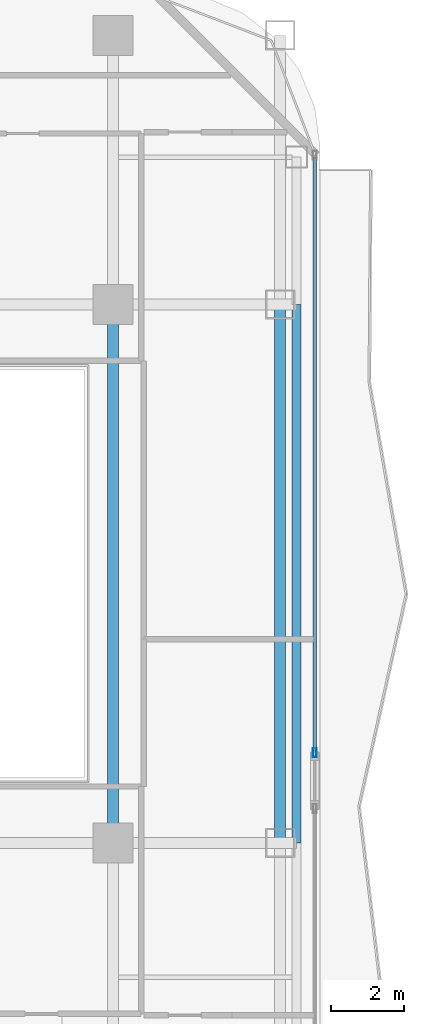
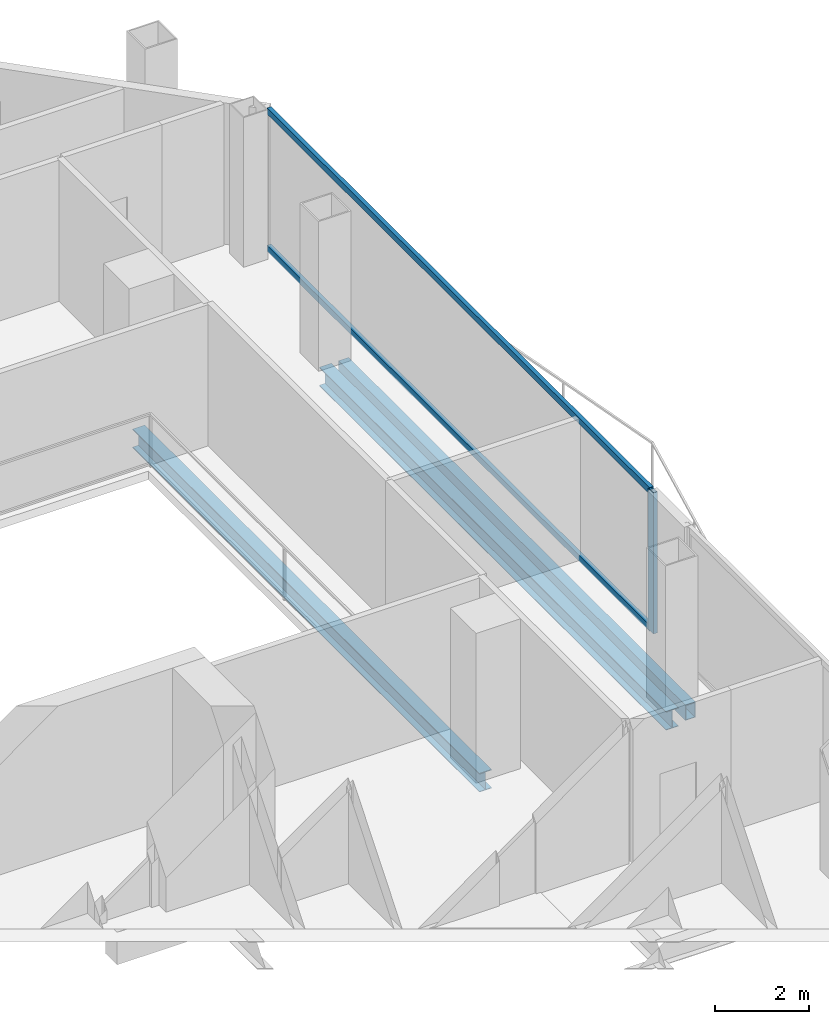
# One storey, part 9 of 23: 3 beams, 3 members, 1 element without a shape of its own.
"""IFC4 building model written with IfcOpenShell, lengths in metres."""

from ifc_helpers import new_model, si_unit, direction, frame, origin, origin_2d, place, context, subcontext, project, spatial, hollow_rectangle, i_section, extrude, material, layer, layer_set, material_profile, profile_set, type_object, element, aggregate, save


model = new_model("IFC4")

# Units and contexts
model_context = context("Model", 3, precision=1e-05, world=origin(), true_north=direction((0.0, 1.0)))
body_context = subcontext(model_context, "Body", "Model", "MODEL_VIEW")
ifc_project = project(units=[si_unit("LENGTHUNIT", "METRE"), si_unit("AREAUNIT", "SQUARE_METRE"), si_unit("VOLUMEUNIT", "CUBIC_METRE"), si_unit("PLANEANGLEUNIT", "RADIAN"), si_unit("MASSUNIT", "GRAM", prefix="KILO")], contexts=[model_context])

# Site, building, storey
site_placement = place(None, origin())
site = spatial("IfcSite", under=ifc_project, at=site_placement, CompositionType="ELEMENT")
building_placement = place(site_placement, origin())
building = spatial("IfcBuilding", under=site, at=building_placement, Name="Khorvyn Point Tower", CompositionType="ELEMENT")
storey_placement = place(building_placement, frame((0.0, 0.0, 195.300048828125)))
storey = spatial("IfcBuildingStorey", under=building, at=storey_placement, Name="L48", CompositionType="ELEMENT", Elevation=195.300048828125)

# Curtain wall, members
ifc_material_1 = material(Name="Anodised aluminium 6063-T6 and laminated Low-E glass", Category="aluminium")
ifc_layer = layer(ifc_material_1, 0.18994140625)
ifc_layer_set = layer_set([ifc_layer], Name="Stick-Built Acoustic Curtain Wall CW-SYS-03")
curtain_wall_type = type_object("IfcCurtainWallType", Name="Stick-Built Acoustic Curtain Wall CW-SYS-03", PredefinedType="NOTDEFINED", material=ifc_layer_set)
curtain_wall_placement = place(storey_placement, origin())
curtain_wall = element("IfcCurtainWall", 1, at=curtain_wall_placement, inside=storey, type_object=curtain_wall_type, Name="Curtain Wall", PredefinedType="NOTDEFINED")
ifc_material_2 = material(Name="Anodised aluminium 6063-T6", Category="aluminium")
ifc_material_profile_1 = material_profile(ifc_material_2, hollow_rectangle(XDim=0.10009765625, YDim=0.239990234375, WallThickness=0.0048828125, at=origin_2d()))
ifc_profile_set_1 = profile_set([ifc_material_profile_1], Name="Anodised aluminium 6063-T6 ALU-MUL-100x240")
member_type_1 = type_object("IfcMemberType", Name="Anodised Aluminium 6063-T6 Mullion ALU-MUL-100x240", PredefinedType="MULLION", material=ifc_profile_set_1)
member_1_placement = place(storey_placement, frame((20.35009765625, -4.919921875, 0.0), z_axis=(0.0, 0.0, 1.0), x_axis=(1.0, 0.0, 0.0)))
member_1 = element("IfcMember", 2, at=member_1_placement, type_object=member_type_1, Name="Transom", PredefinedType="MULLION", context=body_context, shape_type="SweptSolid", body=[
    extrude(hollow_rectangle(XDim=0.10009765625, YDim=0.239990234375, WallThickness=0.0048828125, at=origin_2d()), origin(), (0.0, 0.0, 1.0), 3.679931640625),
])
ifc_material_profile_2 = material_profile(ifc_material_2, hollow_rectangle(XDim=0.10009765625, YDim=0.159912109375, WallThickness=0.00439453125, at=origin_2d()))
ifc_profile_set_2 = profile_set([ifc_material_profile_2], Name="Anodised aluminium 6063-T6 ALU-TRN-100x160")
member_type_2 = type_object("IfcMemberType", Name="Anodised Aluminium 6063-T6 Transom ALU-TRN-100x160", PredefinedType="USERDEFINED", material=ifc_profile_set_2)
member_2_placement = place(storey_placement, frame((20.35009765625, 11.449951171875, 0.050048828125), z_axis=(0.0, -1.0, 0.0), x_axis=(1.0, 0.0, 0.0)))
member_2 = element("IfcMember", 3, at=member_2_placement, type_object=member_type_2, Name="Transom", ObjectType="TRANSOM", PredefinedType="USERDEFINED", context=body_context, shape_type="SweptSolid", body=[
    extrude(hollow_rectangle(XDim=0.10009765625, YDim=0.159912109375, WallThickness=0.00439453125, at=origin_2d()), origin(), (0.0, 0.0, 1.0), 16.320068359375),
])
member_3_placement = place(storey_placement, frame((20.35009765625, 11.449951171875, 3.6298828125), z_axis=(0.0, -1.0, 0.0), x_axis=(1.0, 0.0, 0.0)))
member_3 = element("IfcMember", 4, at=member_3_placement, type_object=member_type_2, Name="Transom", ObjectType="TRANSOM", PredefinedType="USERDEFINED", context=body_context, shape_type="SweptSolid", body=[
    extrude(hollow_rectangle(XDim=0.10009765625, YDim=0.159912109375, WallThickness=0.00439453125, at=origin_2d()), origin(), (0.0, 0.0, 1.0), 16.320068359375),
])
aggregate(curtain_wall, [member_1, member_2, member_3])

# Beams
ifc_material_3 = material(Name="Steel S355", Category="steel")
ifc_material_profile_3 = material_profile(ifc_material_3, i_section(OverallWidth=0.300048828125, OverallDepth=0.488037109375, WebThickness=0.010986328125, FlangeThickness=0.01806640625, at=origin_2d()))
ifc_profile_set_3 = profile_set([ifc_material_profile_3], Name="Steel S355 H488x300x11x18")
beam_type_1 = type_object("IfcBeamType", Name="Steel S355 Spandrel H488x300x11x18", PredefinedType="SPANDREL", material=ifc_profile_set_3)
for number, where, z_axis, x_axis, name in (
    (5, (14.800048828125, -7.39990234375, -0.464111328125), (0.0, 1.0, 0.0), (-1.0, 0.0, 0.0), "Beam"),
    (6, (19.39990234375, -7.39990234375, -0.464111328125), (0.0, 1.0, 0.0), (-1.0, 0.0, 0.0), "Beam"),
):
    element("IfcBeam", number, at=place(storey_placement, frame(where, z_axis=z_axis, x_axis=x_axis)), inside=storey, type_object=beam_type_1, Name=name, PredefinedType="SPANDREL", context=body_context, shape_type="SweptSolid", body=[
        extrude(i_section(OverallWidth=0.300048828125, OverallDepth=0.488037109375, WebThickness=0.010986328125, FlangeThickness=0.01806640625, at=origin_2d()), origin(), (0.0, 0.0, 1.0), 14.7998046875),
    ])
ifc_material_profile_4 = material_profile(ifc_material_3, hollow_rectangle(XDim=0.25, YDim=0.39990234375, WallThickness=0.01611328125, at=origin_2d()))
ifc_profile_set_4 = profile_set([ifc_material_profile_4], Name="Steel S355 RHS400x250x16")
beam_type_2 = type_object("IfcBeamType", Name="Steel S355 Spandrel RHS400x250x16", PredefinedType="SPANDREL", material=ifc_profile_set_4)
beam_placement = place(storey_placement, frame((19.85009765625, -7.39990234375, -0.420166015625), z_axis=(0.0, 1.0, 0.0), x_axis=(-1.0, 0.0, 0.0)))
element("IfcBeam", 7, at=beam_placement, inside=storey, type_object=beam_type_2, Name="Beam", PredefinedType="SPANDREL", context=body_context, shape_type="SweptSolid", body=[
    extrude(hollow_rectangle(XDim=0.25, YDim=0.39990234375, WallThickness=0.01611328125, at=origin_2d()), origin(), (0.0, 0.0, 1.0), 14.7998046875),
])

save(model, "model.ifc")
